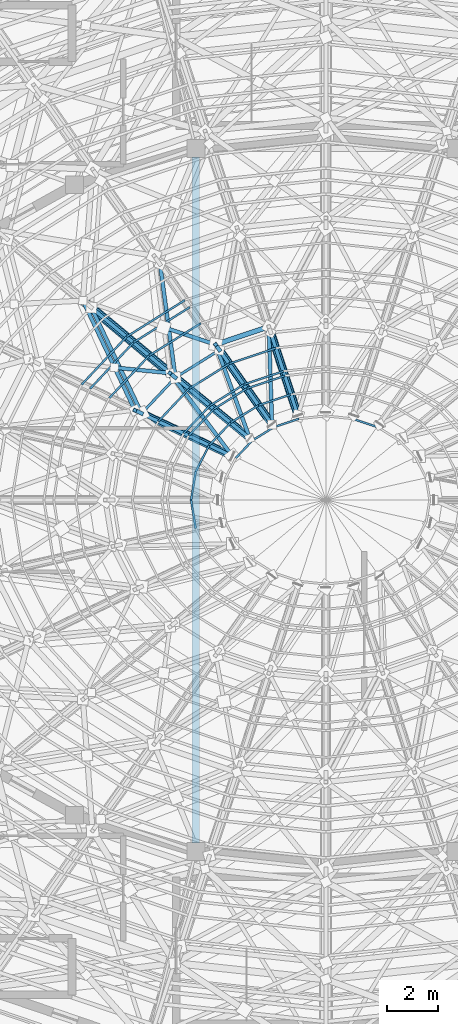
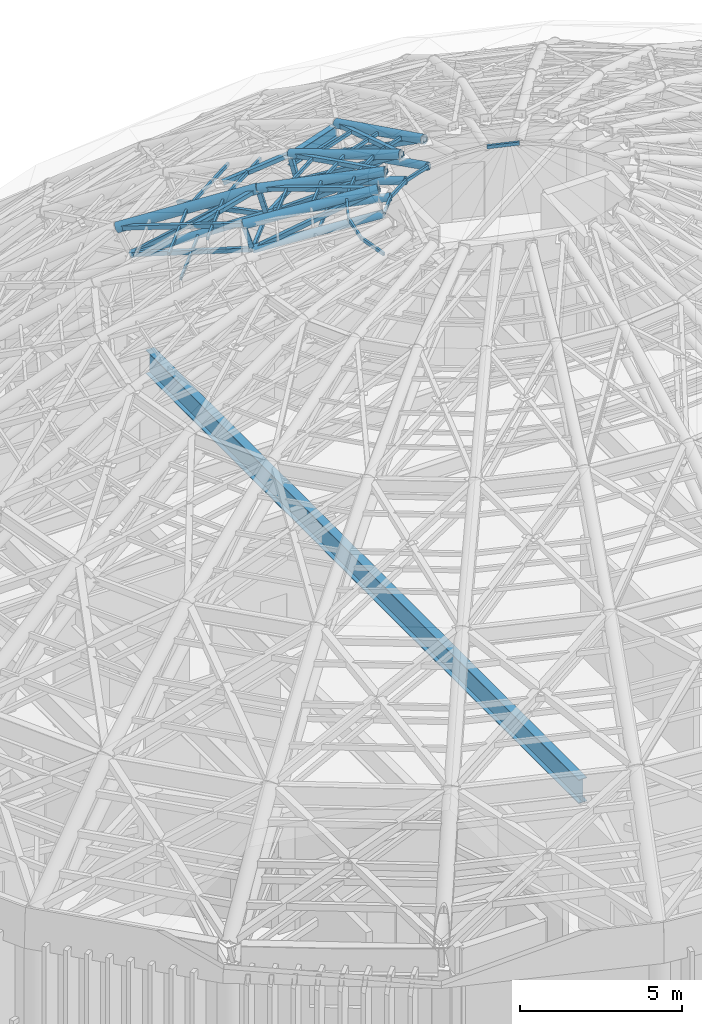
# One storey, part 13 of 50: 53 members, 2 beams.
"""IFC4 building model written with IfcOpenShell, lengths in metres."""

from ifc_helpers import new_model, si_unit, direction, frame, origin, origin_2d, place, context, subcontext, project, spatial, hollow_rectangle, hollow_circle, i_section, extrude, material, material_profile, profile_set, type_object, element, save


model = new_model("IFC4")

# Units and contexts
model_context = context("Model", 3, precision=1e-05, world=origin(), true_north=direction((0.0, 1.0)))
body_context = subcontext(model_context, "Body", "Model", "MODEL_VIEW")
ifc_project = project(units=[si_unit("LENGTHUNIT", "METRE"), si_unit("AREAUNIT", "SQUARE_METRE"), si_unit("VOLUMEUNIT", "CUBIC_METRE"), si_unit("PLANEANGLEUNIT", "RADIAN"), si_unit("MASSUNIT", "GRAM", prefix="KILO")], contexts=[model_context])

# Site, building, storey
site_placement = place(None, origin())
site = spatial("IfcSite", under=ifc_project, at=site_placement, CompositionType="ELEMENT")
building_placement = place(site_placement, origin())
building = spatial("IfcBuilding", under=site, at=building_placement, Name="Cinderbank Siding Concert Hall", CompositionType="ELEMENT")
storey_placement = place(building_placement, frame((0.0, 0.0, 23.699951171875)))
storey = spatial("IfcBuildingStorey", under=building, at=storey_placement, Name="L06", CompositionType="ELEMENT", Elevation=23.699951171875)

# Beams
ifc_material_1 = material(Name="Structural steel AS/NZS 3679.1 Grade 350 (340 MPa)", Category="steel")
ifc_material_profile_1 = material_profile(ifc_material_1, i_section(OverallWidth=0.19091796875, OverallDepth=0.46044921875, WebThickness=0.010009765625, FlangeThickness=0.01611328125, at=origin_2d()), Name="460UB82.1", Category="LoadBearing")
ifc_profile_set_1 = profile_set([ifc_material_profile_1], Name="Structural steel AS/NZS 3679.1 Grade 350 (340 MPa)")
beam_type_1 = type_object("IfcBeamType", Name="BM-UB460H 460UB82.1", PredefinedType="BEAM", material=ifc_profile_set_1)
beam_1_placement = place(storey_placement, frame((119.774169921875, 50.761474609375, 15.769775390625), z_axis=(-0.947607117252, -0.319438180769, 0.0), x_axis=(0.319438180769, -0.947607117252, 0.0)))
element("IfcBeam", 1, at=beam_1_placement, inside=storey, type_object=beam_type_1, Name="L06 Beam BM-UB460H #2097", PredefinedType="BEAM", context=body_context, shape_type="SweptSolid", body=[
    extrude(i_section(OverallWidth=0.19091796875, OverallDepth=0.46044921875, WebThickness=0.010009765625, FlangeThickness=0.01611328125, at=origin_2d()), origin(), (0.0, 0.0, 1.0), 2.18896484375),
])
ifc_material_2 = material(Name="Structural steel welded plate section AS/NZS 3679.2 / AS/NZS 3678 Grade 350 (340 MPa)", Category="steel")
ifc_material_profile_2 = material_profile(ifc_material_2, i_section(OverallWidth=0.300048828125, OverallDepth=0.89990234375, WebThickness=0.013916015625, FlangeThickness=0.02490234375, at=origin_2d()), Name="900WB218", Category="LoadBearing")
ifc_profile_set_2 = profile_set([ifc_material_profile_2], Name="Structural steel welded plate section AS/NZS 3679.2 / AS/NZS 3678 Grade 350 (340 MPa)")
beam_type_2 = type_object("IfcBeamType", Name="BM-WB900 900WB218", PredefinedType="BEAM", material=ifc_profile_set_2)
beam_2_placement = place(storey_placement, frame((116.927001953125, 57.3740234375, 4.052001953125), z_axis=(0.0, -1.0, 0.0), x_axis=(1.0, 0.0, 0.0)))
element("IfcBeam", 2, at=beam_2_placement, inside=storey, type_object=beam_type_2, Name="L06 Beam BM-WB900 #125", PredefinedType="BEAM", context=body_context, shape_type="SweptSolid", body=[
    extrude(i_section(OverallWidth=0.300048828125, OverallDepth=0.89990234375, WebThickness=0.013916015625, FlangeThickness=0.02490234375, at=origin_2d()), origin(), (0.0, 0.0, 1.0), 26.748046875),
])

# Members
ifc_material_3 = material(Name="Structural steel hollow section AS/NZS 1163 Grade C350L0 (350 MPa)", Category="steel")
ifc_material_profile_3 = material_profile(ifc_material_3, hollow_rectangle(XDim=0.14990234375, YDim=0.14990234375, WallThickness=0.008056640625, at=origin_2d()), Name="150x150x8.0SHS", Category="LoadBearing")
ifc_profile_set_3 = profile_set([ifc_material_profile_3], Name="Structural steel hollow section AS/NZS 1163 Grade C350L0 (350 MPa)")
member_type_1 = type_object("IfcMemberType", Name="BR-SHS150 150x150x8.0SHS Roof Truss", PredefinedType="BRACE", material=ifc_profile_set_3)
member_1_placement = place(storey_placement, frame((115.69140625, 50.728271484375, 15.223876953125), z_axis=(0.891130470668, -0.295490935211, 0.344342259177), x_axis=(0.314739058005, 0.94917823688, 0.0)))
element("IfcMember", 3, at=member_1_placement, inside=storey, type_object=member_type_1, Name="L06 Diagonal Brace BR-SHS150 #DBRO-BR-SHS150-L06-1498-S137", PredefinedType="BRACE", context=body_context, shape_type="SweptSolid", body=[
    extrude(hollow_rectangle(XDim=0.14990234375, YDim=0.14990234375, WallThickness=0.008056640625, at=origin_2d()), origin(), (0.0, 0.0, 1.0), 2.25390625),
])
member_2_placement = place(storey_placement, frame((115.534423828125, 53.19287109375, 13.050048828125), z_axis=(0.122253598131, -0.904106842433, 0.409444593577), x_axis=(0.990981226559, 0.134000778383, 0.0)))
element("IfcMember", 4, at=member_2_placement, inside=storey, type_object=member_type_1, Name="L06 Diagonal Brace BR-SHS150 #DBRI-BR-SHS150-L06-1499", PredefinedType="BRACE", context=body_context, shape_type="SweptSolid", body=[
    extrude(hollow_rectangle(XDim=0.14990234375, YDim=0.14990234375, WallThickness=0.008056640625, at=origin_2d()), origin(), (0.0, 0.0, 1.0), 4.884765625),
])
member_3_placement = place(storey_placement, frame((112.8564453125, 51.505859375, 13.050048828125), z_axis=(0.6172710179, -0.515212656044, 0.594585914324), x_axis=(0.640786191173, 0.767719387017, 0.0)))
element("IfcMember", 5, at=member_3_placement, inside=storey, type_object=member_type_1, Name="L06 Diagonal Brace BR-SHS150 #DWBD-BR-SHS150-L06-1502", PredefinedType="BRACE", context=body_context, shape_type="SweptSolid", body=[
    extrude(hollow_rectangle(XDim=0.14990234375, YDim=0.14990234375, WallThickness=0.008056640625, at=origin_2d()), origin(), (0.0, 0.0, 1.0), 4.96142578125),
])
member_4_placement = place(storey_placement, frame((112.52490234375, 51.7783203125, 14.0), z_axis=(0.394465562177, -0.832443944074, 0.389145217408), x_axis=(0.903674827673, 0.428219343129, 0.0)))
element("IfcMember", 6, at=member_4_placement, inside=storey, type_object=member_type_1, Name="L06 Diagonal Brace BR-SHS150 #DBRO-BR-SHS150-L06-1509", PredefinedType="BRACE", context=body_context, shape_type="SweptSolid", body=[
    extrude(hollow_rectangle(XDim=0.14990234375, YDim=0.14990234375, WallThickness=0.008056640625, at=origin_2d()), origin(), (0.0, 0.0, 1.0), 5.139404296875),
])
member_5_placement = place(storey_placement, frame((113.77783203125, 49.1630859375, 15.224853515625), z_axis=(0.936176460638, -0.093297403261, 0.338923633127), x_axis=(0.099166694392, 0.995070835028, 0.0)))
element("IfcMember", 7, at=member_5_placement, inside=storey, type_object=member_type_1, Name="L06 Diagonal Brace BR-SHS150 #DBRO-BR-SHS150-L06-1510-S138", PredefinedType="BRACE", context=body_context, shape_type="SweptSolid", body=[
    extrude(hollow_rectangle(XDim=0.14990234375, YDim=0.14990234375, WallThickness=0.008056640625, at=origin_2d()), origin(), (0.0, 0.0, 1.0), 2.287109375),
])
member_6_placement = place(storey_placement, frame((112.8564453125, 51.505859375, 13.050048828125), z_axis=(0.392315032588, -0.827807237468, 0.401028792983), x_axis=(0.903655124424, 0.428260920587, 0.0)))
element("IfcMember", 8, at=member_6_placement, inside=storey, type_object=member_type_1, Name="L06 Diagonal Brace BR-SHS150 #DBRI-BR-SHS150-L06-1511", PredefinedType="BRACE", context=body_context, shape_type="SweptSolid", body=[
    extrude(hollow_rectangle(XDim=0.14990234375, YDim=0.14990234375, WallThickness=0.008056640625, at=origin_2d()), origin(), (0.0, 0.0, 1.0), 4.987060546875),
])
member_7_placement = place(storey_placement, frame((119.85205078125, 50.52490234375, 15.050048828125), z_axis=(0.266672743613, -0.814499309414, 0.515244139005), x_axis=(0.950359410933, 0.311154286569, 0.0)))
element("IfcMember", 9, at=member_7_placement, inside=storey, type_object=member_type_1, Name="L06 Diagonal Brace BR-SHS150 #DWBD-BR-SHS150-L06-1752", PredefinedType="BRACE", context=body_context, shape_type="SweptSolid", body=[
    extrude(hollow_rectangle(XDim=0.14990234375, YDim=0.14990234375, WallThickness=0.008056640625, at=origin_2d()), origin(), (0.0, 0.0, 1.0), 3.978759765625),
])
member_8_placement = place(storey_placement, frame((119.774169921875, 50.761474609375, 16.0), z_axis=(0.031636722796, -0.96040490133, 0.276805966828), x_axis=(0.999457885555, 0.032923168163, 0.0)))
element("IfcMember", 10, at=member_8_placement, inside=storey, type_object=member_type_1, Name="L06 Diagonal Brace BR-SHS150 #DBRO-BR-SHS150-L06-1759", PredefinedType="BRACE", context=body_context, shape_type="SweptSolid", body=[
    extrude(hollow_rectangle(XDim=0.14990234375, YDim=0.14990234375, WallThickness=0.008056640625, at=origin_2d()), origin(), (0.0, 0.0, 1.0), 3.974365234375),
])
member_9_placement = place(storey_placement, frame((117.8505859375, 49.85009765625, 15.050048828125), z_axis=(0.499322174283, -0.707938193489, 0.4995006311), x_axis=(0.817184743141, 0.576375828412, 0.0)))
element("IfcMember", 11, at=member_9_placement, inside=storey, type_object=member_type_1, Name="L06 Diagonal Brace BR-SHS150 #DWBD-BR-SHS150-L06-1762", PredefinedType="BRACE", context=body_context, shape_type="SweptSolid", body=[
    extrude(hollow_rectangle(XDim=0.14990234375, YDim=0.14990234375, WallThickness=0.008056640625, at=origin_2d()), origin(), (0.0, 0.0, 1.0), 4.104248046875),
])
member_10_placement = place(storey_placement, frame((117.8505859375, 49.85009765625, 15.050048828125), z_axis=(-0.152937825972, 0.215401897519, 0.964475009491), x_axis=(-0.815378555439, -0.578928157314, 0.0)))
element("IfcMember", 12, at=member_10_placement, inside=storey, type_object=member_type_1, Name="L06 Diagonal Brace BR-SHS150 #DWBV-BR-SHS150-L06-1765", PredefinedType="BRACE", context=body_context, shape_type="SweptSolid", body=[
    extrude(hollow_rectangle(XDim=0.14990234375, YDim=0.14990234375, WallThickness=0.008056640625, at=origin_2d()), origin(), (0.0, 0.0, 1.0), 0.98486328125),
])
member_11_placement = place(storey_placement, frame((117.699951171875, 50.062255859375, 16.0), z_axis=(0.328894618343, -0.904354572698, 0.271976353506), x_axis=(0.939780603502, 0.34177831599, 0.0)))
element("IfcMember", 13, at=member_11_placement, inside=storey, type_object=member_type_1, Name="L06 Diagonal Brace BR-SHS150 #DBRO-BR-SHS150-L06-1769", PredefinedType="BRACE", context=body_context, shape_type="SweptSolid", body=[
    extrude(hollow_rectangle(XDim=0.14990234375, YDim=0.14990234375, WallThickness=0.008056640625, at=origin_2d()), origin(), (0.0, 0.0, 1.0), 4.044921875),
])
member_12_placement = place(storey_placement, frame((116.131591796875, 48.776611328125, 15.050048828125), z_axis=(0.67884757642, -0.555576678184, 0.480104699672), x_axis=(0.633344264796, 0.773870171444, 0.0)))
element("IfcMember", 14, at=member_12_placement, inside=storey, type_object=member_type_1, Name="L06 Diagonal Brace BR-SHS150 #DWBD-BR-SHS150-L06-1772", PredefinedType="BRACE", context=body_context, shape_type="SweptSolid", body=[
    extrude(hollow_rectangle(XDim=0.14990234375, YDim=0.14990234375, WallThickness=0.008056640625, at=origin_2d()), origin(), (0.0, 0.0, 1.0), 4.27001953125),
])
member_13_placement = place(storey_placement, frame((116.131591796875, 48.776611328125, 15.050048828125), z_axis=(-0.215070231721, 0.175068650161, 0.96077872747), x_axis=(-0.631296308496, -0.775541727362, 0.0)))
element("IfcMember", 15, at=member_13_placement, inside=storey, type_object=member_type_1, Name="L06 Diagonal Brace BR-SHS150 #DWBV-BR-SHS150-L06-1775", PredefinedType="BRACE", context=body_context, shape_type="SweptSolid", body=[
    extrude(hollow_rectangle(XDim=0.14990234375, YDim=0.14990234375, WallThickness=0.008056640625, at=origin_2d()), origin(), (0.0, 0.0, 1.0), 0.98876953125),
])
member_14_placement = place(storey_placement, frame((115.9189453125, 48.94970703125, 16.0), z_axis=(0.58016863601, -0.771490980412, 0.261162824561), x_axis=(0.799228391319, 0.601027435738, 0.0)))
element("IfcMember", 16, at=member_14_placement, inside=storey, type_object=member_type_1, Name="L06 Diagonal Brace BR-SHS150 #DBRO-BR-SHS150-L06-1779", PredefinedType="BRACE", context=body_context, shape_type="SweptSolid", body=[
    extrude(hollow_rectangle(XDim=0.14990234375, YDim=0.14990234375, WallThickness=0.008056640625, at=origin_2d()), origin(), (0.0, 0.0, 1.0), 4.21240234375),
])
member_15_placement = place(storey_placement, frame((114.81298828125, 47.37744140625, 15.050048828125), z_axis=(0.801455569163, -0.378734609059, 0.462848859303), x_axis=(0.427254861709, 0.904131231153, 0.0)))
element("IfcMember", 17, at=member_15_placement, inside=storey, type_object=member_type_1, Name="L06 Diagonal Brace BR-SHS150 #DWBD-BR-SHS150-L06-1782", PredefinedType="BRACE", context=body_context, shape_type="SweptSolid", body=[
    extrude(hollow_rectangle(XDim=0.14990234375, YDim=0.14990234375, WallThickness=0.008056640625, at=origin_2d()), origin(), (0.0, 0.0, 1.0), 4.42919921875),
])
member_16_placement = place(storey_placement, frame((114.81298828125, 47.37744140625, 15.050048828125), z_axis=(-0.262664795398, 0.12346229147, 0.956955729302), x_axis=(-0.425388902363, -0.905010652836, 0.0)))
element("IfcMember", 18, at=member_16_placement, inside=storey, type_object=member_type_1, Name="L06 Diagonal Brace BR-SHS150 #DWBV-BR-SHS150-L06-1785", PredefinedType="BRACE", context=body_context, shape_type="SweptSolid", body=[
    extrude(hollow_rectangle(XDim=0.14990234375, YDim=0.14990234375, WallThickness=0.008056640625, at=origin_2d()), origin(), (0.0, 0.0, 1.0), 0.99267578125),
])
ifc_material_profile_4 = material_profile(ifc_material_3, hollow_circle(Radius=0.136474609375, WallThickness=0.00927734375, at=origin_2d()), Name="273.1x9.3CHS", Category="LoadBearing")
ifc_profile_set_4 = profile_set([ifc_material_profile_4], Name="Structural steel hollow section AS/NZS 1163 Grade C350L0 (350 MPa)")
member_type_2 = type_object("IfcMemberType", Name="DR-CHS273 273.1x9.3CHS Roof Truss", PredefinedType="RAFTER", material=ifc_profile_set_4)
member_17_placement = place(storey_placement, frame((112.8564453125, 51.505859375, 13.050048828125), z_axis=(0.695496901664, -0.5795721106, 0.424711935776), x_axis=(0.640178766907, 0.768225973527, 0.0)))
element("IfcMember", 19, at=member_17_placement, inside=storey, type_object=member_type_2, Name="L06 Roof Truss Member DR-CHS273 #1501", PredefinedType="RAFTER", context=body_context, shape_type="SweptSolid", body=[
    extrude(hollow_circle(Radius=0.136474609375, WallThickness=0.00927734375, at=origin_2d()), origin(), (0.0, 0.0, 1.0), 4.708984375),
])
member_18_placement = place(storey_placement, frame((119.85205078125, 50.52490234375, 15.050048828125), z_axis=(0.297118000487, -0.90732879731, 0.297448058252), x_axis=(0.950343230625, 0.311203701786, 0.0)))
element("IfcMember", 20, at=member_18_placement, inside=storey, type_object=member_type_2, Name="L06 Roof Truss Member DR-CHS273 #1751", PredefinedType="RAFTER", context=body_context, shape_type="SweptSolid", body=[
    extrude(hollow_circle(Radius=0.136474609375, WallThickness=0.00927734375, at=origin_2d()), origin(), (0.0, 0.0, 1.0), 3.698486328125),
])
member_19_placement = place(storey_placement, frame((117.8505859375, 49.85009765625, 15.050048828125), z_axis=(0.552369154655, -0.782909426334, 0.286253641274), x_axis=(0.817101975754, 0.576493157999, 0.0)))
element("IfcMember", 21, at=member_19_placement, inside=storey, type_object=member_type_2, Name="L06 Roof Truss Member DR-CHS273 #1761", PredefinedType="RAFTER", context=body_context, shape_type="SweptSolid", body=[
    extrude(hollow_circle(Radius=0.136474609375, WallThickness=0.00927734375, at=origin_2d()), origin(), (0.0, 0.0, 1.0), 3.843017578125),
])
member_20_placement = place(storey_placement, frame((116.131591796875, 48.776611328125, 15.050048828125), z_axis=(0.744597053616, -0.60921577114, 0.272821135436), x_axis=(0.633237790257, 0.773957299203, 0.0)))
element("IfcMember", 22, at=member_20_placement, inside=storey, type_object=member_type_2, Name="L06 Roof Truss Member DR-CHS273 #1771", PredefinedType="RAFTER", context=body_context, shape_type="SweptSolid", body=[
    extrude(hollow_circle(Radius=0.136474609375, WallThickness=0.00927734375, at=origin_2d()), origin(), (0.0, 0.0, 1.0), 4.0322265625),
])
member_21_placement = place(storey_placement, frame((114.81298828125, 47.37744140625, 15.050048828125), z_axis=(0.872810404073, -0.412326274815, 0.261130315434), x_axis=(0.427146747319, 0.904182313615, 0.0)))
element("IfcMember", 23, at=member_21_placement, inside=storey, type_object=member_type_2, Name="L06 Roof Truss Member DR-CHS273 #1781", PredefinedType="RAFTER", context=body_context, shape_type="SweptSolid", body=[
    extrude(hollow_circle(Radius=0.136474609375, WallThickness=0.00927734375, at=origin_2d()), origin(), (0.0, 0.0, 1.0), 4.212890625),
])
ifc_material_profile_5 = material_profile(ifc_material_3, hollow_circle(Radius=0.161865234375, WallThickness=0.0126953125, at=origin_2d()), Name="323.9x12.7CHS", Category="LoadBearing")
ifc_profile_set_5 = profile_set([ifc_material_profile_5], Name="Structural steel hollow section AS/NZS 1163 Grade C350L0 (350 MPa)")
member_type_3 = type_object("IfcMemberType", Name="DR-CHS323 323.9x12.7CHS Roof Truss", PredefinedType="RAFTER", material=ifc_profile_set_5)
member_22_placement = place(storey_placement, frame((119.774169921875, 50.761474609375, 16.0), z_axis=(0.298079462392, -0.910089564814, 0.287898624723), x_axis=(0.950325499871, 0.311257842141, 0.0)))
element("IfcMember", 24, at=member_22_placement, inside=storey, type_object=member_type_3, Name="L06 Roof Truss Member DR-CHS323 #1750", PredefinedType="RAFTER", context=body_context, shape_type="SweptSolid", body=[
    extrude(hollow_circle(Radius=0.161865234375, WallThickness=0.0126953125, at=origin_2d()), origin(), (0.0, 0.0, 1.0), 3.788818359375),
])
member_23_placement = place(storey_placement, frame((117.699951171875, 50.062255859375, 16.0), z_axis=(0.553994203108, -0.785098843827, 0.276966114072), x_axis=(0.817062588556, 0.576548980037, 0.0)))
element("IfcMember", 25, at=member_23_placement, inside=storey, type_object=member_type_3, Name="L06 Roof Truss Member DR-CHS323 #1760", PredefinedType="RAFTER", context=body_context, shape_type="SweptSolid", body=[
    extrude(hollow_circle(Radius=0.161865234375, WallThickness=0.0126953125, at=origin_2d()), origin(), (0.0, 0.0, 1.0), 3.939453125),
])
member_24_placement = place(storey_placement, frame((115.9189453125, 48.94970703125, 16.0), z_axis=(0.746506757945, -0.61079435588, 0.26392785978), x_axis=(0.633247788404, 0.773949118794, 0.0)))
element("IfcMember", 26, at=member_24_placement, inside=storey, type_object=member_type_3, Name="L06 Roof Truss Member DR-CHS323 #1770", PredefinedType="RAFTER", context=body_context, shape_type="SweptSolid", body=[
    extrude(hollow_circle(Radius=0.161865234375, WallThickness=0.0126953125, at=origin_2d()), origin(), (0.0, 0.0, 1.0), 4.1357421875),
])
member_25_placement = place(storey_placement, frame((114.55224609375, 47.5, 16.0), z_axis=(0.874866085469, -0.413292769609, 0.252583489337), x_axis=(0.427142831717, 0.904184163383, 0.0)))
element("IfcMember", 27, at=member_25_placement, inside=storey, type_object=member_type_3, Name="L06 Roof Truss Member DR-CHS323 #1780", PredefinedType="RAFTER", context=body_context, shape_type="SweptSolid", body=[
    extrude(hollow_circle(Radius=0.161865234375, WallThickness=0.0126953125, at=origin_2d()), origin(), (0.0, 0.0, 1.0), 4.323486328125),
])
ifc_material_profile_6 = material_profile(ifc_material_3, hollow_circle(Radius=0.177734375, WallThickness=0.0126953125, at=origin_2d()), Name="355.6x12.7CHS", Category="LoadBearing")
ifc_profile_set_6 = profile_set([ifc_material_profile_6], Name="Structural steel hollow section AS/NZS 1163 Grade C350L0 (350 MPa)")
member_type_4 = type_object("IfcMemberType", Name="DR-CHS355 355.6x12.7CHS Roof Truss", PredefinedType="RAFTER", material=ifc_profile_set_6)
member_26_placement = place(storey_placement, frame((112.52490234375, 51.7783203125, 14.0), z_axis=(0.699831224622, -0.583243027512, 0.412387957999), x_axis=(0.640217010255, 0.768194102932, 0.0)))
element("IfcMember", 28, at=member_26_placement, inside=storey, type_object=member_type_4, Name="L06 Roof Truss Member DR-CHS355 #1500", PredefinedType="RAFTER", context=body_context, shape_type="SweptSolid", body=[
    extrude(hollow_circle(Radius=0.177734375, WallThickness=0.0126953125, at=origin_2d()), origin(), (0.0, 0.0, 1.0), 4.849853515625),
])
ifc_material_profile_7 = material_profile(ifc_material_3, hollow_rectangle(XDim=0.074951171875, YDim=0.125, WallThickness=0.0048828125, at=origin_2d()), Name="125x75x5.0RHS", Category="LoadBearing")
ifc_profile_set_7 = profile_set([ifc_material_profile_7], Name="Structural steel hollow section AS/NZS 1163 Grade C350L0 (350 MPa)")
member_type_5 = type_object("IfcMemberType", Name="PR-RHS125 125x75x5.0RHS Roof Truss", PredefinedType="PURLIN", material=ifc_profile_set_7)
member_27_placement = place(storey_placement, frame((116.6923828125, 51.521484375, 14.050048828125), z_axis=(-0.846902793444, -0.531747739493, 0.0), x_axis=(0.531747739493, -0.846902793444, 0.0)))
element("IfcMember", 29, at=member_27_placement, inside=storey, type_object=member_type_5, Name="L06 Roof Truss Member PR-RHS125 #1492", PredefinedType="PURLIN", context=body_context, shape_type="SweptSolid", body=[
    extrude(hollow_rectangle(XDim=0.074951171875, YDim=0.125, WallThickness=0.0048828125, at=origin_2d()), origin(), (0.0, 0.0, 1.0), 2.595947265625),
])
member_28_placement = place(storey_placement, frame((116.5, 51.794189453125, 15.0), z_axis=(-0.846956519539, -0.531662161537, 0.0), x_axis=(0.531662161537, -0.846956519539, 0.0)))
element("IfcMember", 30, at=member_28_placement, inside=storey, type_object=member_type_5, Name="L06 Roof Truss Member PR-RHS125 #1495", PredefinedType="PURLIN", context=body_context, shape_type="SweptSolid", body=[
    extrude(hollow_rectangle(XDim=0.074951171875, YDim=0.125, WallThickness=0.0048828125, at=origin_2d()), origin(), (0.0, 0.0, 1.0), 2.68994140625),
])
member_29_placement = place(storey_placement, frame((117.1240234375, 50.8935546875, 15.52001953125), z_axis=(-0.847474187281, -0.530836605644, 0.0), x_axis=(0.530836605644, -0.847474187281, 0.0)))
element("IfcMember", 31, at=member_29_placement, inside=storey, type_object=member_type_5, Name="L06 Roof Truss Member PR-RHS125 #1496", PredefinedType="PURLIN", context=body_context, shape_type="SweptSolid", body=[
    extrude(hollow_rectangle(XDim=0.074951171875, YDim=0.125, WallThickness=0.0048828125, at=origin_2d()), origin(), (0.0, 0.0, 1.0), 2.38330078125),
])
member_30_placement = place(storey_placement, frame((114.493896484375, 50.14111328125, 14.050048828125), z_axis=(-0.684069565465, -0.729416773597, 0.0), x_axis=(0.729416773597, -0.684069565465, 0.0)))
element("IfcMember", 32, at=member_30_placement, inside=storey, type_object=member_type_5, Name="L06 Roof Truss Member PR-RHS125 #1504", PredefinedType="PURLIN", context=body_context, shape_type="SweptSolid", body=[
    extrude(hollow_rectangle(XDim=0.074951171875, YDim=0.125, WallThickness=0.0048828125, at=origin_2d()), origin(), (0.0, 0.0, 1.0), 2.4658203125),
])
member_31_placement = place(storey_placement, frame((114.2216796875, 50.364013671875, 15.0), z_axis=(-0.684052350248, -0.729432918177, 0.0), x_axis=(0.729432918177, -0.684052350248, 0.0)))
element("IfcMember", 33, at=member_31_placement, inside=storey, type_object=member_type_5, Name="L06 Roof Truss Member PR-RHS125 #1507", PredefinedType="PURLIN", context=body_context, shape_type="SweptSolid", body=[
    extrude(hollow_rectangle(XDim=0.074951171875, YDim=0.125, WallThickness=0.0048828125, at=origin_2d()), origin(), (0.0, 0.0, 1.0), 2.555419921875),
])
member_32_placement = place(storey_placement, frame((115.104248046875, 49.62841796875, 15.52001953125), z_axis=(-0.684974166446, -0.728567355363, 0.0), x_axis=(0.728567355363, -0.684974166446, 0.0)))
element("IfcMember", 34, at=member_32_placement, inside=storey, type_object=member_type_5, Name="L06 Roof Truss Member PR-RHS125 #1508", PredefinedType="PURLIN", context=body_context, shape_type="SweptSolid", body=[
    extrude(hollow_rectangle(XDim=0.074951171875, YDim=0.125, WallThickness=0.0048828125, at=origin_2d()), origin(), (0.0, 0.0, 1.0), 2.2626953125),
])
for number, where, z_axis, x_axis, name in (
    (35, (124.026611328125, 46.84130859375, 16.150146484375), (-0.948089671773, 0.318003104194, 0.0), (-0.318003104194, -0.948089671773, 0.0), "L06 Roof Truss Member PR-RHS125 #1723"),
    (36, (120.950927734375, 47.169189453125, 16.150146484375), (-0.948089671773, -0.318003104194, 0.0), (0.318003104194, -0.948089671773, 0.0), "L06 Roof Truss Member PR-RHS125 #1753"),
):
    element("IfcMember", number, at=place(storey_placement, frame(where, z_axis=z_axis, x_axis=x_axis)), inside=storey, type_object=member_type_5, Name=name, PredefinedType="PURLIN", context=body_context, shape_type="SweptSolid", body=[
        extrude(hollow_rectangle(XDim=0.074951171875, YDim=0.125, WallThickness=0.0048828125, at=origin_2d()), origin(), (0.0, 0.0, 1.0), 1.031005859375),
    ])
member_33_placement = place(storey_placement, frame((120.401611328125, 48.846923828125, 15.60009765625), z_axis=(-0.947778428506, -0.318929538391, 0.0), x_axis=(0.318929538391, -0.947778428506, 0.0)))
element("IfcMember", 37, at=member_33_placement, inside=storey, type_object=member_type_5, Name="L06 Roof Truss Member PR-RHS125 #1754", PredefinedType="PURLIN", context=body_context, shape_type="SweptSolid", body=[
    extrude(hollow_rectangle(XDim=0.074951171875, YDim=0.125, WallThickness=0.0048828125, at=origin_2d()), origin(), (0.0, 0.0, 1.0), 1.571533203125),
])
member_34_placement = place(storey_placement, frame((120.047607421875, 49.927001953125, 16.26416015625), z_axis=(-0.947661176794, -0.319277769345, 0.0), x_axis=(0.319277769345, -0.947661176794, 0.0)))
element("IfcMember", 38, at=member_34_placement, inside=storey, type_object=member_type_5, Name="L06 Roof Truss Member PR-RHS125 #1756", PredefinedType="PURLIN", context=body_context, shape_type="SweptSolid", body=[
    extrude(hollow_rectangle(XDim=0.074951171875, YDim=0.125, WallThickness=0.0048828125, at=origin_2d()), origin(), (0.0, 0.0, 1.0), 1.920166015625),
])
member_35_placement = place(storey_placement, frame((120.343505859375, 49.022705078125, 16.550048828125), z_axis=(-0.947795058073, -0.318880115236, 0.0), x_axis=(0.318880115236, -0.947795058073, 0.0)))
element("IfcMember", 39, at=member_35_placement, inside=storey, type_object=member_type_5, Name="L06 Roof Truss Member PR-RHS125 #1757", PredefinedType="PURLIN", context=body_context, shape_type="SweptSolid", body=[
    extrude(hollow_rectangle(XDim=0.074951171875, YDim=0.125, WallThickness=0.0048828125, at=origin_2d()), origin(), (0.0, 0.0, 1.0), 1.62841796875),
])
member_36_placement = place(storey_placement, frame((120.6396484375, 48.11865234375, 16.8359375), z_axis=(-0.947895330421, -0.318581924419, 0.0), x_axis=(0.318581924419, -0.947895330421, 0.0)))
element("IfcMember", 40, at=member_36_placement, inside=storey, type_object=member_type_5, Name="L06 Roof Truss Member PR-RHS125 #1758", PredefinedType="PURLIN", context=body_context, shape_type="SweptSolid", body=[
    extrude(hollow_rectangle(XDim=0.074951171875, YDim=0.125, WallThickness=0.0048828125, at=origin_2d()), origin(), (0.0, 0.0, 1.0), 1.337158203125),
])
member_37_placement = place(storey_placement, frame((119.973388671875, 46.84130859375, 16.150146484375), z_axis=(-0.849521792441, -0.527553527301, 0.0), x_axis=(0.527553527301, -0.849521792441, 0.0)))
element("IfcMember", 41, at=member_37_placement, inside=storey, type_object=member_type_5, Name="L06 Roof Truss Member PR-RHS125 #1763", PredefinedType="PURLIN", context=body_context, shape_type="SweptSolid", body=[
    extrude(hollow_rectangle(XDim=0.074951171875, YDim=0.125, WallThickness=0.0048828125, at=origin_2d()), origin(), (0.0, 0.0, 1.0), 0.988037109375),
])
member_38_placement = place(storey_placement, frame((118.912109375, 48.345703125, 15.60009765625), z_axis=(-0.848580058355, -0.529066994398, 0.0), x_axis=(0.529066994398, -0.848580058355, 0.0)))
element("IfcMember", 42, at=member_38_placement, inside=storey, type_object=member_type_5, Name="L06 Roof Truss Member PR-RHS125 #1764", PredefinedType="PURLIN", context=body_context, shape_type="SweptSolid", body=[
    extrude(hollow_rectangle(XDim=0.074951171875, YDim=0.125, WallThickness=0.0048828125, at=origin_2d()), origin(), (0.0, 0.0, 1.0), 1.507568359375),
])
member_39_placement = place(storey_placement, frame((118.22802734375, 49.31396484375, 16.26416015625), z_axis=(-0.848355564327, -0.529426894363, 0.0), x_axis=(0.529426894363, -0.848355564327, 0.0)))
element("IfcMember", 43, at=member_39_placement, inside=storey, type_object=member_type_5, Name="L06 Roof Truss Member PR-RHS125 #1766", PredefinedType="PURLIN", context=body_context, shape_type="SweptSolid", body=[
    extrude(hollow_rectangle(XDim=0.074951171875, YDim=0.125, WallThickness=0.0048828125, at=origin_2d()), origin(), (0.0, 0.0, 1.0), 1.841796875),
])
member_40_placement = place(storey_placement, frame((118.800048828125, 48.50341796875, 16.550048828125), z_axis=(-0.848568581374, -0.529085402091, 0.0), x_axis=(0.529085402091, -0.848568581374, 0.0)))
element("IfcMember", 44, at=member_40_placement, inside=storey, type_object=member_type_5, Name="L06 Roof Truss Member PR-RHS125 #1767", PredefinedType="PURLIN", context=body_context, shape_type="SweptSolid", body=[
    extrude(hollow_rectangle(XDim=0.074951171875, YDim=0.125, WallThickness=0.0048828125, at=origin_2d()), origin(), (0.0, 0.0, 1.0), 1.56201171875),
])
member_41_placement = place(storey_placement, frame((119.3720703125, 47.692626953125, 16.8359375), z_axis=(-0.849012948189, -0.528372041091, 0.0), x_axis=(0.528372041091, -0.849012948189, 0.0)))
element("IfcMember", 45, at=member_41_placement, inside=storey, type_object=member_type_5, Name="L06 Roof Truss Member PR-RHS125 #1768", PredefinedType="PURLIN", context=body_context, shape_type="SweptSolid", body=[
    extrude(hollow_rectangle(XDim=0.074951171875, YDim=0.125, WallThickness=0.0048828125, at=origin_2d()), origin(), (0.0, 0.0, 1.0), 1.2822265625),
])
member_42_placement = place(storey_placement, frame((119.134033203125, 46.320068359375, 16.150146484375), z_axis=(-0.687816964948, -0.725884166193, 0.0), x_axis=(0.725884166193, -0.687816964948, 0.0)))
element("IfcMember", 46, at=member_42_placement, inside=storey, type_object=member_type_5, Name="L06 Roof Truss Member PR-RHS125 #1773", PredefinedType="PURLIN", context=body_context, shape_type="SweptSolid", body=[
    extrude(hollow_rectangle(XDim=0.074951171875, YDim=0.125, WallThickness=0.0048828125, at=origin_2d()), origin(), (0.0, 0.0, 1.0), 0.936279296875),
])
member_43_placement = place(storey_placement, frame((117.6328125, 47.548095703125, 15.60009765625), z_axis=(-0.686663657378, -0.726975255175, 0.0), x_axis=(0.726975255175, -0.686663657378, 0.0)))
element("IfcMember", 47, at=member_43_placement, inside=storey, type_object=member_type_5, Name="L06 Roof Truss Member PR-RHS125 #1774", PredefinedType="PURLIN", context=body_context, shape_type="SweptSolid", body=[
    extrude(hollow_rectangle(XDim=0.074951171875, YDim=0.125, WallThickness=0.0048828125, at=origin_2d()), origin(), (0.0, 0.0, 1.0), 1.42919921875),
])
member_44_placement = place(storey_placement, frame((116.66552734375, 48.3388671875, 16.26416015625), z_axis=(-0.686192522958, -0.727419975967, 0.0), x_axis=(0.727419975967, -0.686192522958, 0.0)))
element("IfcMember", 48, at=member_44_placement, inside=storey, type_object=member_type_5, Name="L06 Roof Truss Member PR-RHS125 #1776", PredefinedType="PURLIN", context=body_context, shape_type="SweptSolid", body=[
    extrude(hollow_rectangle(XDim=0.074951171875, YDim=0.125, WallThickness=0.0048828125, at=origin_2d()), origin(), (0.0, 0.0, 1.0), 1.746826171875),
])
member_45_placement = place(storey_placement, frame((117.474609375, 47.677001953125, 16.550048828125), z_axis=(-0.686628372605, -0.727008581747, 0.0), x_axis=(0.727008581747, -0.686628372605, 0.0)))
element("IfcMember", 49, at=member_45_placement, inside=storey, type_object=member_type_5, Name="L06 Roof Truss Member PR-RHS125 #1777", PredefinedType="PURLIN", context=body_context, shape_type="SweptSolid", body=[
    extrude(hollow_rectangle(XDim=0.074951171875, YDim=0.125, WallThickness=0.0048828125, at=origin_2d()), origin(), (0.0, 0.0, 1.0), 1.481201171875),
])
member_46_placement = place(storey_placement, frame((118.283447265625, 47.01513671875, 16.8359375), z_axis=(-0.687148281608, -0.726517198064, 0.0), x_axis=(0.726517198064, -0.687148281608, 0.0)))
element("IfcMember", 50, at=member_46_placement, inside=storey, type_object=member_type_5, Name="L06 Roof Truss Member PR-RHS125 #1778", PredefinedType="PURLIN", context=body_context, shape_type="SweptSolid", body=[
    extrude(hollow_rectangle(XDim=0.074951171875, YDim=0.125, WallThickness=0.0048828125, at=origin_2d()), origin(), (0.0, 0.0, 1.0), 1.215576171875),
])
member_47_placement = place(storey_placement, frame((117.4482421875, 46.132080078125, 16.8359375), z_axis=(-0.454723641281, -0.890632589826, 0.0), x_axis=(0.890632589826, -0.454723641281, 0.0)))
element("IfcMember", 51, at=member_47_placement, inside=storey, type_object=member_type_5, Name="L06 Roof Truss Member PR-RHS125 #1788", PredefinedType="PURLIN", context=body_context, shape_type="SweptSolid", body=[
    extrude(hollow_rectangle(XDim=0.074951171875, YDim=0.125, WallThickness=0.0048828125, at=origin_2d()), origin(), (0.0, 0.0, 1.0), 1.15478515625),
])
for number, where, z_axis, x_axis, name in (
    (52, (116.923095703125, 45.103515625, 16.8359375), (-0.160289688382, -0.987070015652, 0.0), (0.987070015652, -0.160289688382, 0.0), "L06 Roof Truss Member PR-RHS125 #1798"),
    (53, (116.743896484375, 44.0, 16.8359375), (0.160289688382, -0.987070015652, 0.0), (0.987070015652, 0.160289688382, 0.0), "L06 Roof Truss Member PR-RHS125 #1808"),
):
    element("IfcMember", number, at=place(storey_placement, frame(where, z_axis=z_axis, x_axis=x_axis)), inside=storey, type_object=member_type_5, Name=name, PredefinedType="PURLIN", context=body_context, shape_type="SweptSolid", body=[
        extrude(hollow_rectangle(XDim=0.074951171875, YDim=0.125, WallThickness=0.0048828125, at=origin_2d()), origin(), (0.0, 0.0, 1.0), 1.117919921875),
    ])
ifc_material_profile_8 = material_profile(ifc_material_3, hollow_rectangle(XDim=0.10009765625, YDim=0.14990234375, WallThickness=0.006103515625, at=origin_2d()), Name="150x100x6.0RHS", Category="LoadBearing")
ifc_profile_set_8 = profile_set([ifc_material_profile_8], Name="Structural steel hollow section AS/NZS 1163 Grade C350L0 (350 MPa)")
member_type_6 = type_object("IfcMemberType", Name="PR-RHS150 150x100x6.0RHS Roof Truss", PredefinedType="PURLIN", material=ifc_profile_set_8)
member_48_placement = place(storey_placement, frame((117.8505859375, 49.85009765625, 15.050048828125), z_axis=(-0.848194509168, -0.529684882376, 0.0), x_axis=(0.529684882376, -0.848194509168, 0.0)))
element("IfcMember", 54, at=member_48_placement, inside=storey, type_object=member_type_6, Name="L06 Roof Truss Member PR-RHS150 #1491", PredefinedType="PURLIN", context=body_context, shape_type="SweptSolid", body=[
    extrude(hollow_rectangle(XDim=0.10009765625, YDim=0.14990234375, WallThickness=0.006103515625, at=origin_2d()), origin(), (0.0, 0.0, 1.0), 2.026611328125),
])
member_49_placement = place(storey_placement, frame((116.131591796875, 48.776611328125, 15.050048828125), z_axis=(-0.685843830053, -0.727748748386, 0.0), x_axis=(0.727748748386, -0.685843830053, 0.0)))
element("IfcMember", 55, at=member_49_placement, inside=storey, type_object=member_type_6, Name="L06 Roof Truss Member PR-RHS150 #1503", PredefinedType="PURLIN", context=body_context, shape_type="SweptSolid", body=[
    extrude(hollow_rectangle(XDim=0.10009765625, YDim=0.14990234375, WallThickness=0.006103515625, at=origin_2d()), origin(), (0.0, 0.0, 1.0), 1.922607421875),
])

save(model, "model.ifc")
